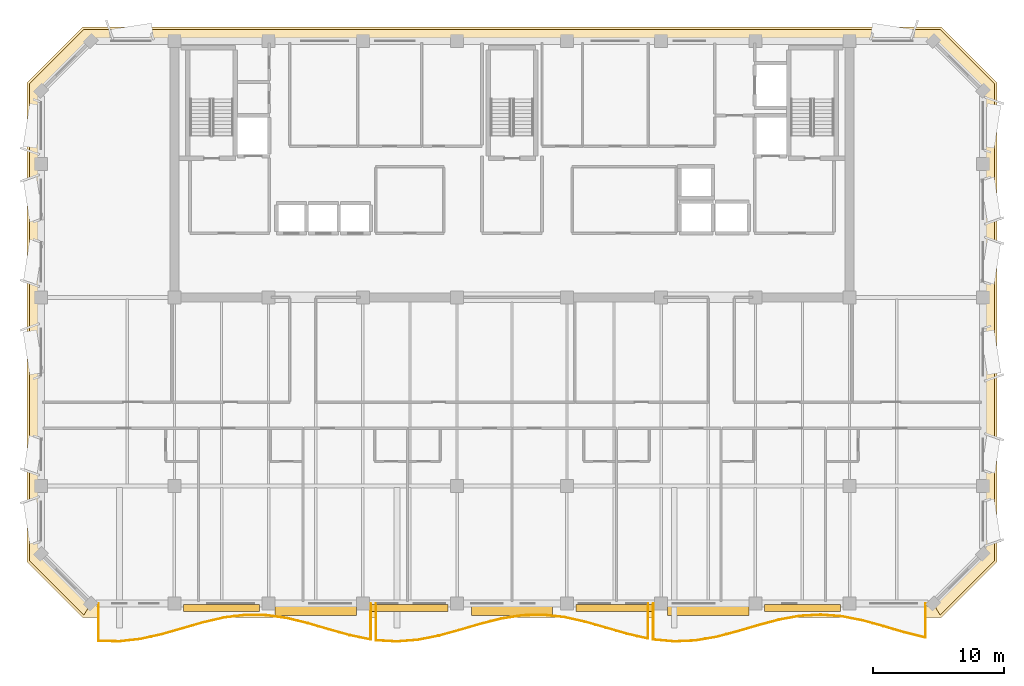
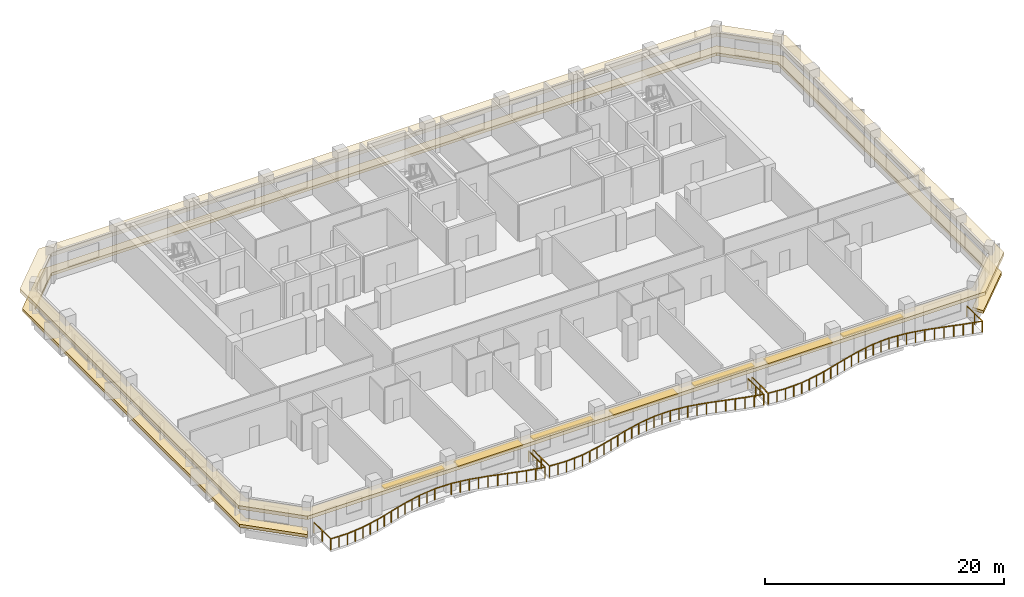
# One storey, part 9 of 11: 7 shading devices, 3 railings, 2 coverings.
"""IFC4 building model written with IfcOpenShell, lengths in metres."""

from ifc_helpers import new_model, si_unit, direction, frame, origin, origin_2d, place, context, subcontext, project, spatial, polyline, rectangle, outline, extrude, material, layer, layer_set, type_object, element, save


model = new_model("IFC4")

# Units and contexts
model_context = context("Model", 3, precision=1e-05, world=origin(), true_north=direction((0.0, 1.0)))
body_context = subcontext(model_context, "Body", "Model", "MODEL_VIEW")
ifc_project = project(units=[si_unit("LENGTHUNIT", "METRE"), si_unit("AREAUNIT", "SQUARE_METRE"), si_unit("VOLUMEUNIT", "CUBIC_METRE"), si_unit("PLANEANGLEUNIT", "RADIAN"), si_unit("MASSUNIT", "GRAM", prefix="KILO")], contexts=[model_context])

# Site, building, storey
site_placement = place(None, origin())
site = spatial("IfcSite", under=ifc_project, at=site_placement, CompositionType="ELEMENT")
building_placement = place(site_placement, origin())
building = spatial("IfcBuilding", under=site, at=building_placement, Name="Kaelvorn Grand Hotel", CompositionType="ELEMENT")
storey_placement = place(building_placement, frame((0.0, 0.0, 248.89990234375)))
storey = spatial("IfcBuildingStorey", under=building, at=storey_placement, Name="L61", CompositionType="ELEMENT", Elevation=248.89990234375)

# Coverings
ifc_material_1 = material(Name="Precast concrete C45/55", Category="concrete")
ifc_layer_1 = layer(ifc_material_1, 0.260009765625)
ifc_layer_set_1 = layer_set([ifc_layer_1], Name="Precast concrete C45/55")
covering_type_1 = type_object("IfcCoveringType", Name="COV-BAND-STREAMLINE-HEAD", PredefinedType="CLADDING", material=ifc_layer_set_1)
covering_1_placement = place(storey_placement, frame((0.0, 0.0, 2.420166015625)))
element("IfcCovering", 1, at=covering_1_placement, inside=storey, type_object=covering_type_1, Name="L61 Streamline Moderne Wraparound Horizontal Eyebrow Band", PredefinedType="CLADDING", context=body_context, shape_type="SweptSolid", body=[
    extrude(outline(polyline([(9.18994140625, 4.949951171875), (74.81005859375, 4.949951171875), (79.050048828125, 9.18994140625), (79.050048828125, 45.81005859375), (74.81005859375, 50.050048828125), (9.18994140625, 50.050048828125), (4.949951171875, 45.81005859375), (4.949951171875, 9.18994140625), (9.18994140625, 4.949951171875)]), holes=[polyline([(9.820068359375, 6.030029296875), (74.179931640625, 6.030029296875), (77.969970703125, 9.820068359375), (77.969970703125, 45.179931640625), (74.179931640625, 48.969970703125), (9.820068359375, 48.969970703125), (6.030029296875, 45.179931640625), (6.030029296875, 9.820068359375), (9.820068359375, 6.030029296875)])]), origin(), (0.0, 0.0, 1.0), 0.35986328125),
])
ifc_layer_2 = layer(ifc_material_1, 0.219970703125)
ifc_layer_set_2 = layer_set([ifc_layer_2], Name="Precast concrete C45/55")
covering_type_2 = type_object("IfcCoveringType", Name="COV-BAND-STREAMLINE-SILL", PredefinedType="CLADDING", material=ifc_layer_set_2)
covering_2_placement = place(storey_placement, frame((0.0, 0.0, 0.4501953125)))
element("IfcCovering", 2, at=covering_2_placement, inside=storey, type_object=covering_type_2, Name="L61 Streamline Moderne Wraparound Horizontal Sill Spandrel Band", PredefinedType="CLADDING", context=body_context, shape_type="SweptSolid", body=[
    extrude(outline(polyline([(74.715576171875, 5.1201171875), (78.8798828125, 9.284423828125), (78.8798828125, 45.715576171875), (74.715576171875, 49.8798828125), (9.284423828125, 49.8798828125), (5.1201171875, 45.715576171875), (5.1201171875, 9.284423828125), (9.284423828125, 5.1201171875), (9.817626953125, 6.030029296875), (6.030029296875, 9.817626953125), (6.030029296875, 45.182373046875), (9.817626953125, 48.969970703125), (74.182373046875, 48.969970703125), (77.969970703125, 45.182373046875), (77.969970703125, 9.817626953125), (74.182373046875, 6.030029296875), (74.715576171875, 5.1201171875)])), origin(), (0.0, 0.0, 1.0), 0.2998046875),
])

# Railings
ifc_material_2 = material(Name="Stainless Steel", Category="steel")
railing_type = type_object("IfcRailingType", Name="RL-BALC-1150", PredefinedType="BALUSTRADE", material=ifc_material_2)
railing_1_placement = place(storey_placement, frame((10.39990234375, 6.0, 0.0)))
element("IfcRailing", 3, at=railing_1_placement, inside=storey, type_object=railing_type, Name="L61 Scalloped Wave Balcony Balustrade GR1-1", PredefinedType="BALUSTRADE", context=body_context, shape_type="SweptSolid", body=[
    extrude(rectangle(XDim=0.048095703125, YDim=0.048095703125, at=origin_2d()), frame((0.0, 0.0, 1.1259765625), z_axis=(0.0, -1.0, 0.0), x_axis=(1.0, 0.0, 0.0)), (0.0, 0.0, 1.0), 2.849853515625),
    extrude(rectangle(XDim=0.048095703125, YDim=0.048095703125, at=origin_2d()), frame((0.0, -2.849853515625, 1.1259765625), z_axis=(0.999713206321, -0.023947966645, 0.0), x_axis=(0.023947966645, 0.999713206321, 0.0)), (0.0, 0.0, 1.0), 1.6005859375),
    extrude(rectangle(XDim=0.048095703125, YDim=0.048095703125, at=origin_2d()), frame((1.60009765625, -2.88818359375, 1.1259765625), z_axis=(0.993937251022, 0.109948810954, 0.0), x_axis=(-0.109948810954, 0.993937251022, 0.0)), (0.0, 0.0, 1.0), 1.60986328125),
    extrude(rectangle(XDim=0.048095703125, YDim=0.048095703125, at=origin_2d()), frame((3.2001953125, -2.711181640625, 1.1259765625), z_axis=(0.976257116807, 0.216614962282, 0.0), x_axis=(-0.216614962282, 0.976257116807, 0.0)), (0.0, 0.0, 1.0), 1.638671875),
    extrude(rectangle(XDim=0.048095703125, YDim=0.048095703125, at=origin_2d()), frame((4.800048828125, -2.356201171875, 1.1259765625), z_axis=(0.961507337723, 0.274779255959, 0.0), x_axis=(-0.274779255959, 0.961507337723, 0.0)), (0.0, 0.0, 1.0), 1.6640625),
    extrude(rectangle(XDim=0.048095703125, YDim=0.048095703125, at=origin_2d()), frame((6.400146484375, -1.89892578125, 1.1259765625), z_axis=(0.960678560295, 0.27766293197, 0.0), x_axis=(-0.27766293197, 0.960678560295, 0.0)), (0.0, 0.0, 1.0), 1.665283203125),
    extrude(rectangle(XDim=0.048095703125, YDim=0.048095703125, at=origin_2d()), frame((8.0, -1.4365234375, 1.1259765625), z_axis=(0.974406227917, 0.224794357127, 0.0), x_axis=(-0.224794357127, 0.974406227917, 0.0)), (0.0, 0.0, 1.0), 1.64208984375),
    extrude(rectangle(XDim=0.048095703125, YDim=0.048095703125, at=origin_2d()), frame((9.60009765625, -1.0673828125, 1.1259765625), z_axis=(0.992467733724, 0.122506316232, 0.0), x_axis=(-0.122506316232, 0.992467733724, 0.0)), (0.0, 0.0, 1.0), 1.6123046875),
    extrude(rectangle(XDim=0.048095703125, YDim=0.048095703125, at=origin_2d()), frame((11.2001953125, -0.869873046875, 1.1259765625), z_axis=(0.999946164045, -0.010376367947, 0.0), x_axis=(0.010376367947, 0.999946164045, 0.0)), (0.0, 0.0, 1.0), 1.599853515625),
    extrude(rectangle(XDim=0.048095703125, YDim=0.048095703125, at=origin_2d()), frame((12.800048828125, -0.886474609375, 1.1259765625), z_axis=(0.990102995912, -0.14034264315, 0.0), x_axis=(0.14034264315, 0.990102995912, 0.0)), (0.0, 0.0, 1.0), 1.6162109375),
    extrude(rectangle(XDim=0.048095703125, YDim=0.048095703125, at=origin_2d()), frame((14.400146484375, -1.11328125, 1.1259765625), z_axis=(0.971700727271, -0.236215360681, 0.0), x_axis=(0.236215360681, 0.971700727271, 0.0)), (0.0, 0.0, 1.0), 1.646484375),
    extrude(rectangle(XDim=0.048095703125, YDim=0.048095703125, at=origin_2d()), frame((16.0, -1.502197265625, 1.1259765625), z_axis=(0.959786500851, -0.28073096157, 0.0), x_axis=(0.28073096157, 0.959786500851, 0.0)), (0.0, 0.0, 1.0), 1.667236328125),
    extrude(rectangle(XDim=0.048095703125, YDim=0.048095703125, at=origin_2d()), frame((17.60009765625, -1.97021484375, 1.1259765625), z_axis=(0.962968597463, -0.269613575884, 0.0), x_axis=(0.269613575884, 0.962968597463, 0.0)), (0.0, 0.0, 1.0), 1.66162109375),
    extrude(rectangle(XDim=0.048095703125, YDim=0.048095703125, at=origin_2d()), frame((19.2001953125, -2.418212890625, 1.1259765625), z_axis=(0.979105781264, -0.203351589852, 0.0), x_axis=(0.203351589852, 0.979105781264, 0.0)), (0.0, 0.0, 1.0), 1.634033203125),
    extrude(rectangle(XDim=0.048095703125, YDim=0.048095703125, at=origin_2d()), frame((20.800048828125, -2.75048828125, 1.1259765625), z_axis=(0.0, 1.0, 0.0), x_axis=(-1.0, 0.0, 0.0)), (0.0, 0.0, 1.0), 2.75048828125),
    extrude(rectangle(XDim=0.0419921875, YDim=0.0419921875, at=origin_2d()), origin(), (0.0, 0.0, 1.0), 1.101806640625),
    extrude(rectangle(XDim=0.0419921875, YDim=0.0419921875, at=origin_2d()), frame((0.0, -1.4248046875, 0.0)), (0.0, 0.0, 1.0), 1.101806640625),
    extrude(rectangle(XDim=0.0419921875, YDim=0.0419921875, at=origin_2d()), frame((0.0, -2.849853515625, 0.0)), (0.0, 0.0, 1.0), 1.101806640625),
    extrude(rectangle(XDim=0.0419921875, YDim=0.0419921875, at=origin_2d()), frame((0.800048828125, -2.869140625, 0.0)), (0.0, 0.0, 1.0), 1.101806640625),
    extrude(rectangle(XDim=0.0419921875, YDim=0.0419921875, at=origin_2d()), frame((1.60009765625, -2.88818359375, 0.0)), (0.0, 0.0, 1.0), 1.101806640625),
    extrude(rectangle(XDim=0.0419921875, YDim=0.0419921875, at=origin_2d()), frame((2.400146484375, -2.7998046875, 0.0)), (0.0, 0.0, 1.0), 1.101806640625),
    extrude(rectangle(XDim=0.0419921875, YDim=0.0419921875, at=origin_2d()), frame((3.2001953125, -2.711181640625, 0.0)), (0.0, 0.0, 1.0), 1.101806640625),
    extrude(rectangle(XDim=0.0419921875, YDim=0.0419921875, at=origin_2d()), frame((4.0, -2.53369140625, 0.0)), (0.0, 0.0, 1.0), 1.101806640625),
    extrude(rectangle(XDim=0.0419921875, YDim=0.0419921875, at=origin_2d()), frame((4.800048828125, -2.356201171875, 0.0)), (0.0, 0.0, 1.0), 1.101806640625),
    extrude(rectangle(XDim=0.0419921875, YDim=0.0419921875, at=origin_2d()), frame((5.60009765625, -2.12744140625, 0.0)), (0.0, 0.0, 1.0), 1.101806640625),
    extrude(rectangle(XDim=0.0419921875, YDim=0.0419921875, at=origin_2d()), frame((6.400146484375, -1.89892578125, 0.0)), (0.0, 0.0, 1.0), 1.101806640625),
    extrude(rectangle(XDim=0.0419921875, YDim=0.0419921875, at=origin_2d()), frame((7.2001953125, -1.667724609375, 0.0)), (0.0, 0.0, 1.0), 1.101806640625),
    extrude(rectangle(XDim=0.0419921875, YDim=0.0419921875, at=origin_2d()), frame((8.0, -1.4365234375, 0.0)), (0.0, 0.0, 1.0), 1.101806640625),
    extrude(rectangle(XDim=0.0419921875, YDim=0.0419921875, at=origin_2d()), frame((8.800048828125, -1.251953125, 0.0)), (0.0, 0.0, 1.0), 1.101806640625),
    extrude(rectangle(XDim=0.0419921875, YDim=0.0419921875, at=origin_2d()), frame((9.60009765625, -1.0673828125, 0.0)), (0.0, 0.0, 1.0), 1.101806640625),
    extrude(rectangle(XDim=0.0419921875, YDim=0.0419921875, at=origin_2d()), frame((10.400146484375, -0.96875, 0.0)), (0.0, 0.0, 1.0), 1.101806640625),
    extrude(rectangle(XDim=0.0419921875, YDim=0.0419921875, at=origin_2d()), frame((11.2001953125, -0.869873046875, 0.0)), (0.0, 0.0, 1.0), 1.101806640625),
    extrude(rectangle(XDim=0.0419921875, YDim=0.0419921875, at=origin_2d()), frame((12.800048828125, -0.886474609375, 0.0)), (0.0, 0.0, 1.0), 1.101806640625),
    extrude(rectangle(XDim=0.0419921875, YDim=0.0419921875, at=origin_2d()), frame((13.60009765625, -1.0, 0.0)), (0.0, 0.0, 1.0), 1.101806640625),
    extrude(rectangle(XDim=0.0419921875, YDim=0.0419921875, at=origin_2d()), frame((14.400146484375, -1.11328125, 0.0)), (0.0, 0.0, 1.0), 1.101806640625),
    extrude(rectangle(XDim=0.0419921875, YDim=0.0419921875, at=origin_2d()), frame((15.2001953125, -1.3076171875, 0.0)), (0.0, 0.0, 1.0), 1.101806640625),
    extrude(rectangle(XDim=0.0419921875, YDim=0.0419921875, at=origin_2d()), frame((16.0, -1.502197265625, 0.0)), (0.0, 0.0, 1.0), 1.101806640625),
    extrude(rectangle(XDim=0.0419921875, YDim=0.0419921875, at=origin_2d()), frame((16.800048828125, -1.736328125, 0.0)), (0.0, 0.0, 1.0), 1.101806640625),
    extrude(rectangle(XDim=0.0419921875, YDim=0.0419921875, at=origin_2d()), frame((17.60009765625, -1.97021484375, 0.0)), (0.0, 0.0, 1.0), 1.101806640625),
    extrude(rectangle(XDim=0.0419921875, YDim=0.0419921875, at=origin_2d()), frame((18.400146484375, -2.1943359375, 0.0)), (0.0, 0.0, 1.0), 1.101806640625),
    extrude(rectangle(XDim=0.0419921875, YDim=0.0419921875, at=origin_2d()), frame((19.2001953125, -2.418212890625, 0.0)), (0.0, 0.0, 1.0), 1.101806640625),
    extrude(rectangle(XDim=0.0419921875, YDim=0.0419921875, at=origin_2d()), frame((20.0, -2.58447265625, 0.0)), (0.0, 0.0, 1.0), 1.101806640625),
    extrude(rectangle(XDim=0.0419921875, YDim=0.0419921875, at=origin_2d()), frame((20.800048828125, -2.75048828125, 0.0)), (0.0, 0.0, 1.0), 1.101806640625),
    extrude(rectangle(XDim=0.0419921875, YDim=0.0419921875, at=origin_2d()), frame((20.800048828125, -1.375244140625, 0.0)), (0.0, 0.0, 1.0), 1.101806640625),
    extrude(rectangle(XDim=0.0419921875, YDim=0.0419921875, at=origin_2d()), frame((20.800048828125, 0.0, 0.0)), (0.0, 0.0, 1.0), 1.101806640625),
])
railing_2_placement = place(storey_placement, frame((31.60009765625, 6.0, 0.0)))
element("IfcRailing", 4, at=railing_2_placement, inside=storey, type_object=railing_type, Name="L61 Scalloped Wave Balcony Balustrade GR1-2", PredefinedType="BALUSTRADE", context=body_context, shape_type="SweptSolid", body=[
    extrude(rectangle(XDim=0.048095703125, YDim=0.048095703125, at=origin_2d()), frame((0.0, 0.0, 1.1259765625), z_axis=(0.0, -1.0, 0.0), x_axis=(1.0, 0.0, 0.0)), (0.0, 0.0, 1.0), 2.806396484375),
    extrude(rectangle(XDim=0.048095703125, YDim=0.048095703125, at=origin_2d()), frame((0.0, -2.806396484375, 1.1259765625), z_axis=(0.998314067233, -0.058043286985, 0.0), x_axis=(0.058043286985, 0.998314067233, 0.0)), (0.0, 0.0, 1.0), 1.6025390625),
    extrude(rectangle(XDim=0.048095703125, YDim=0.048095703125, at=origin_2d()), frame((1.599853515625, -2.8994140625, 1.1259765625), z_axis=(0.99696251046, 0.077882942532, 0.0), x_axis=(-0.077882942532, 0.99696251046, 0.0)), (0.0, 0.0, 1.0), 1.60498046875),
    extrude(rectangle(XDim=0.048095703125, YDim=0.048095703125, at=origin_2d()), frame((3.199951171875, -2.7744140625, 1.1259765625), z_axis=(0.980998741428, 0.194014095665, 0.0), x_axis=(-0.194014095665, 0.980998741428, 0.0)), (0.0, 0.0, 1.0), 1.630859375),
    extrude(rectangle(XDim=0.048095703125, YDim=0.048095703125, at=origin_2d()), frame((4.7998046875, -2.4580078125, 1.1259765625), z_axis=(0.964143309379, 0.265382137644, 0.0), x_axis=(-0.265382137644, 0.964143309379, 0.0)), (0.0, 0.0, 1.0), 1.65966796875),
    extrude(rectangle(XDim=0.048095703125, YDim=0.048095703125, at=origin_2d()), frame((6.39990234375, -2.017578125, 1.1259765625), z_axis=(0.959351515378, 0.282213872696, 0.0), x_axis=(-0.282213872696, 0.959351515378, 0.0)), (0.0, 0.0, 1.0), 1.66796875),
    extrude(rectangle(XDim=0.048095703125, YDim=0.048095703125, at=origin_2d()), frame((8.0, -1.546875, 1.1259765625), z_axis=(0.970011748649, 0.243058033158, 0.0), x_axis=(-0.243058033158, 0.970011748649, 0.0)), (0.0, 0.0, 1.0), 1.6494140625),
    extrude(rectangle(XDim=0.048095703125, YDim=0.048095703125, at=origin_2d()), frame((9.599853515625, -1.14599609375, 1.1259765625), z_axis=(0.988401317612, 0.151864529575, 0.0), x_axis=(-0.151864529575, 0.988401317612, 0.0)), (0.0, 0.0, 1.0), 1.618896484375),
    extrude(rectangle(XDim=0.048095703125, YDim=0.048095703125, at=origin_2d()), frame((11.199951171875, -0.900146484375, 1.1259765625), z_axis=(0.999713118822, 0.023951619053, 0.0), x_axis=(-0.023951619053, 0.999713118822, 0.0)), (0.0, 0.0, 1.0), 1.600341796875),
    extrude(rectangle(XDim=0.048095703125, YDim=0.048095703125, at=origin_2d()), frame((12.7998046875, -0.86181640625, 1.1259765625), z_axis=(0.993937251022, -0.109948810954, 0.0), x_axis=(0.109948810954, 0.993937251022, 0.0)), (0.0, 0.0, 1.0), 1.60986328125),
    extrude(rectangle(XDim=0.048095703125, YDim=0.048095703125, at=origin_2d()), frame((14.39990234375, -1.038818359375, 1.1259765625), z_axis=(0.976264105664, -0.216583461952, 0.0), x_axis=(0.216583461952, 0.976264105664, 0.0)), (0.0, 0.0, 1.0), 1.638916015625),
    extrude(rectangle(XDim=0.048095703125, YDim=0.048095703125, at=origin_2d()), frame((16.0, -1.393798828125, 1.1259765625), z_axis=(0.961496258585, -0.274818021109, 0.0), x_axis=(0.274818021109, 0.961496258585, 0.0)), (0.0, 0.0, 1.0), 1.663818359375),
    extrude(rectangle(XDim=0.048095703125, YDim=0.048095703125, at=origin_2d()), frame((17.599853515625, -1.85107421875, 1.1259765625), z_axis=(0.960689860387, -0.277623832098, 0.0), x_axis=(0.277623832098, 0.960689860387, 0.0)), (0.0, 0.0, 1.0), 1.66552734375),
    extrude(rectangle(XDim=0.048095703125, YDim=0.048095703125, at=origin_2d()), frame((19.199951171875, -2.3134765625, 1.1259765625), z_axis=(0.974398713439, -0.224826927319, 0.0), x_axis=(0.224826927319, 0.974398713439, 0.0)), (0.0, 0.0, 1.0), 1.641845703125),
    extrude(rectangle(XDim=0.048095703125, YDim=0.048095703125, at=origin_2d()), frame((20.7998046875, -2.6826171875, 1.1259765625), z_axis=(0.0, 1.0, 0.0), x_axis=(-1.0, 0.0, 0.0)), (0.0, 0.0, 1.0), 2.6826171875),
    extrude(rectangle(XDim=0.0419921875, YDim=0.0419921875, at=origin_2d()), origin(), (0.0, 0.0, 1.0), 1.101806640625),
    extrude(rectangle(XDim=0.0419921875, YDim=0.0419921875, at=origin_2d()), frame((0.0, -1.4033203125, 0.0)), (0.0, 0.0, 1.0), 1.101806640625),
    extrude(rectangle(XDim=0.0419921875, YDim=0.0419921875, at=origin_2d()), frame((0.0, -2.806396484375, 0.0)), (0.0, 0.0, 1.0), 1.101806640625),
    extrude(rectangle(XDim=0.0419921875, YDim=0.0419921875, at=origin_2d()), frame((0.7998046875, -2.85302734375, 0.0)), (0.0, 0.0, 1.0), 1.101806640625),
    extrude(rectangle(XDim=0.0419921875, YDim=0.0419921875, at=origin_2d()), frame((1.599853515625, -2.8994140625, 0.0)), (0.0, 0.0, 1.0), 1.101806640625),
    extrude(rectangle(XDim=0.0419921875, YDim=0.0419921875, at=origin_2d()), frame((2.39990234375, -2.8369140625, 0.0)), (0.0, 0.0, 1.0), 1.101806640625),
    extrude(rectangle(XDim=0.0419921875, YDim=0.0419921875, at=origin_2d()), frame((3.199951171875, -2.7744140625, 0.0)), (0.0, 0.0, 1.0), 1.101806640625),
    extrude(rectangle(XDim=0.0419921875, YDim=0.0419921875, at=origin_2d()), frame((4.0, -2.6162109375, 0.0)), (0.0, 0.0, 1.0), 1.101806640625),
    extrude(rectangle(XDim=0.0419921875, YDim=0.0419921875, at=origin_2d()), frame((4.7998046875, -2.4580078125, 0.0)), (0.0, 0.0, 1.0), 1.101806640625),
    extrude(rectangle(XDim=0.0419921875, YDim=0.0419921875, at=origin_2d()), frame((5.599853515625, -2.23779296875, 0.0)), (0.0, 0.0, 1.0), 1.101806640625),
    extrude(rectangle(XDim=0.0419921875, YDim=0.0419921875, at=origin_2d()), frame((6.39990234375, -2.017578125, 0.0)), (0.0, 0.0, 1.0), 1.101806640625),
    extrude(rectangle(XDim=0.0419921875, YDim=0.0419921875, at=origin_2d()), frame((7.199951171875, -1.7822265625, 0.0)), (0.0, 0.0, 1.0), 1.101806640625),
    extrude(rectangle(XDim=0.0419921875, YDim=0.0419921875, at=origin_2d()), frame((8.0, -1.546875, 0.0)), (0.0, 0.0, 1.0), 1.101806640625),
    extrude(rectangle(XDim=0.0419921875, YDim=0.0419921875, at=origin_2d()), frame((8.7998046875, -1.346435546875, 0.0)), (0.0, 0.0, 1.0), 1.101806640625),
    extrude(rectangle(XDim=0.0419921875, YDim=0.0419921875, at=origin_2d()), frame((9.599853515625, -1.14599609375, 0.0)), (0.0, 0.0, 1.0), 1.101806640625),
    extrude(rectangle(XDim=0.0419921875, YDim=0.0419921875, at=origin_2d()), frame((10.39990234375, -1.02294921875, 0.0)), (0.0, 0.0, 1.0), 1.101806640625),
    extrude(rectangle(XDim=0.0419921875, YDim=0.0419921875, at=origin_2d()), frame((11.199951171875, -0.900146484375, 0.0)), (0.0, 0.0, 1.0), 1.101806640625),
    extrude(rectangle(XDim=0.0419921875, YDim=0.0419921875, at=origin_2d()), frame((12.0, -0.880859375, 0.0)), (0.0, 0.0, 1.0), 1.101806640625),
    extrude(rectangle(XDim=0.0419921875, YDim=0.0419921875, at=origin_2d()), frame((12.7998046875, -0.86181640625, 0.0)), (0.0, 0.0, 1.0), 1.101806640625),
    extrude(rectangle(XDim=0.0419921875, YDim=0.0419921875, at=origin_2d()), frame((13.599853515625, -0.9501953125, 0.0)), (0.0, 0.0, 1.0), 1.101806640625),
    extrude(rectangle(XDim=0.0419921875, YDim=0.0419921875, at=origin_2d()), frame((14.39990234375, -1.038818359375, 0.0)), (0.0, 0.0, 1.0), 1.101806640625),
    extrude(rectangle(XDim=0.0419921875, YDim=0.0419921875, at=origin_2d()), frame((15.199951171875, -1.21630859375, 0.0)), (0.0, 0.0, 1.0), 1.101806640625),
    extrude(rectangle(XDim=0.0419921875, YDim=0.0419921875, at=origin_2d()), frame((16.0, -1.393798828125, 0.0)), (0.0, 0.0, 1.0), 1.101806640625),
    extrude(rectangle(XDim=0.0419921875, YDim=0.0419921875, at=origin_2d()), frame((16.7998046875, -1.62255859375, 0.0)), (0.0, 0.0, 1.0), 1.101806640625),
    extrude(rectangle(XDim=0.0419921875, YDim=0.0419921875, at=origin_2d()), frame((17.599853515625, -1.85107421875, 0.0)), (0.0, 0.0, 1.0), 1.101806640625),
    extrude(rectangle(XDim=0.0419921875, YDim=0.0419921875, at=origin_2d()), frame((18.39990234375, -2.082275390625, 0.0)), (0.0, 0.0, 1.0), 1.101806640625),
    extrude(rectangle(XDim=0.0419921875, YDim=0.0419921875, at=origin_2d()), frame((19.199951171875, -2.3134765625, 0.0)), (0.0, 0.0, 1.0), 1.101806640625),
    extrude(rectangle(XDim=0.0419921875, YDim=0.0419921875, at=origin_2d()), frame((20.0, -2.498046875, 0.0)), (0.0, 0.0, 1.0), 1.101806640625),
    extrude(rectangle(XDim=0.0419921875, YDim=0.0419921875, at=origin_2d()), frame((20.7998046875, -2.6826171875, 0.0)), (0.0, 0.0, 1.0), 1.101806640625),
    extrude(rectangle(XDim=0.0419921875, YDim=0.0419921875, at=origin_2d()), frame((20.7998046875, -1.34130859375, 0.0)), (0.0, 0.0, 1.0), 1.101806640625),
    extrude(rectangle(XDim=0.0419921875, YDim=0.0419921875, at=origin_2d()), frame((20.7998046875, 0.0, 0.0)), (0.0, 0.0, 1.0), 1.101806640625),
])
railing_3_placement = place(storey_placement, frame((52.800048828125, 6.0, 0.0)))
element("IfcRailing", 5, at=railing_3_placement, inside=storey, type_object=railing_type, Name="L61 Scalloped Wave Balcony Balustrade GR1-3", PredefinedType="BALUSTRADE", context=body_context, shape_type="SweptSolid", body=[
    extrude(rectangle(XDim=0.048095703125, YDim=0.048095703125, at=origin_2d()), frame((0.0, 0.0, 1.1259765625), z_axis=(0.0, -1.0, 0.0), x_axis=(1.0, 0.0, 0.0)), (0.0, 0.0, 1.0), 2.75048828125),
    extrude(rectangle(XDim=0.048095703125, YDim=0.048095703125, at=origin_2d()), frame((0.0, -2.75048828125, 1.1259765625), z_axis=(0.995862006079, -0.090878296908, 0.0), x_axis=(0.090878296908, 0.995862006079, 0.0)), (0.0, 0.0, 1.0), 1.6064453125),
    extrude(rectangle(XDim=0.048095703125, YDim=0.048095703125, at=origin_2d()), frame((1.599853515625, -2.896484375, 1.1259765625), z_axis=(0.999015758747, 0.044356665517, 0.0), x_axis=(-0.044356665517, 0.999015758747, 0.0)), (0.0, 0.0, 1.0), 1.6015625),
    extrude(rectangle(XDim=0.048095703125, YDim=0.048095703125, at=origin_2d()), frame((3.199951171875, -2.825439453125, 1.1259765625), z_axis=(0.985710855115, 0.168446163828, 0.0), x_axis=(-0.168446163828, 0.985710855115, 0.0)), (0.0, 0.0, 1.0), 1.623291015625),
    extrude(rectangle(XDim=0.048095703125, YDim=0.048095703125, at=origin_2d()), frame((4.800048828125, -2.552001953125, 1.1259765625), z_axis=(0.9675984532, 0.252494026396, 0.0), x_axis=(-0.252494026396, 0.9675984532, 0.0)), (0.0, 0.0, 1.0), 1.6533203125),
    extrude(rectangle(XDim=0.048095703125, YDim=0.048095703125, at=origin_2d()), frame((6.39990234375, -2.134521484375, 1.1259765625), z_axis=(0.959033972874, 0.28329108506, 0.0), x_axis=(-0.28329108506, 0.959033972874, 0.0)), (0.0, 0.0, 1.0), 1.66845703125),
    extrude(rectangle(XDim=0.048095703125, YDim=0.048095703125, at=origin_2d()), frame((8.0, -1.661865234375, 1.1259765625), z_axis=(0.966141888597, 0.258011339088, 0.0), x_axis=(-0.258011339088, 0.966141888597, 0.0)), (0.0, 0.0, 1.0), 1.656005859375),
    extrude(rectangle(XDim=0.048095703125, YDim=0.048095703125, at=origin_2d()), frame((9.599853515625, -1.234619140625, 1.1259765625), z_axis=(0.983860301257, 0.178938278776, 0.0), x_axis=(-0.178938278776, 0.983860301257, 0.0)), (0.0, 0.0, 1.0), 1.62646484375),
    extrude(rectangle(XDim=0.048095703125, YDim=0.048095703125, at=origin_2d()), frame((11.199951171875, -0.943603515625, 1.1259765625), z_axis=(0.998314580369, 0.058034460653, 0.0), x_axis=(-0.058034460653, 0.998314580369, 0.0)), (0.0, 0.0, 1.0), 1.602783203125),
    extrude(rectangle(XDim=0.048095703125, YDim=0.048095703125, at=origin_2d()), frame((12.800048828125, -0.8505859375, 1.1259765625), z_axis=(0.996961587557, -0.077894755506, 0.0), x_axis=(0.077894755506, 0.996961587557, 0.0)), (0.0, 0.0, 1.0), 1.604736328125),
    extrude(rectangle(XDim=0.048095703125, YDim=0.048095703125, at=origin_2d()), frame((14.39990234375, -0.9755859375, 1.1259765625), z_axis=(0.981004375199, -0.193985607302, 0.0), x_axis=(0.193985607302, 0.981004375199, 0.0)), (0.0, 0.0, 1.0), 1.631103515625),
    extrude(rectangle(XDim=0.048095703125, YDim=0.048095703125, at=origin_2d()), frame((16.0, -1.2919921875, 1.1259765625), z_axis=(0.964132946726, -0.265419782679, 0.0), x_axis=(0.265419782679, 0.964132946726, 0.0)), (0.0, 0.0, 1.0), 1.659423828125),
    extrude(rectangle(XDim=0.048095703125, YDim=0.048095703125, at=origin_2d()), frame((17.599853515625, -1.732421875, 1.1259765625), z_axis=(0.959351515378, -0.282213872696, 0.0), x_axis=(0.282213872696, 0.959351515378, 0.0)), (0.0, 0.0, 1.0), 1.66796875),
    extrude(rectangle(XDim=0.048095703125, YDim=0.048095703125, at=origin_2d()), frame((19.199951171875, -2.203125, 1.1259765625), z_axis=(0.970020491705, -0.243023138142, 0.0), x_axis=(0.243023138142, 0.970020491705, 0.0)), (0.0, 0.0, 1.0), 1.649658203125),
    extrude(rectangle(XDim=0.048095703125, YDim=0.048095703125, at=origin_2d()), frame((20.800048828125, -2.60400390625, 1.1259765625), z_axis=(0.0, 1.0, 0.0), x_axis=(-1.0, 0.0, 0.0)), (0.0, 0.0, 1.0), 2.60400390625),
    extrude(rectangle(XDim=0.0419921875, YDim=0.0419921875, at=origin_2d()), origin(), (0.0, 0.0, 1.0), 1.101806640625),
    extrude(rectangle(XDim=0.0419921875, YDim=0.0419921875, at=origin_2d()), frame((0.0, -1.375244140625, 0.0)), (0.0, 0.0, 1.0), 1.101806640625),
    extrude(rectangle(XDim=0.0419921875, YDim=0.0419921875, at=origin_2d()), frame((0.0, -2.75048828125, 0.0)), (0.0, 0.0, 1.0), 1.101806640625),
    extrude(rectangle(XDim=0.0419921875, YDim=0.0419921875, at=origin_2d()), frame((0.7998046875, -2.823486328125, 0.0)), (0.0, 0.0, 1.0), 1.101806640625),
    extrude(rectangle(XDim=0.0419921875, YDim=0.0419921875, at=origin_2d()), frame((1.599853515625, -2.896484375, 0.0)), (0.0, 0.0, 1.0), 1.101806640625),
    extrude(rectangle(XDim=0.0419921875, YDim=0.0419921875, at=origin_2d()), frame((2.39990234375, -2.86083984375, 0.0)), (0.0, 0.0, 1.0), 1.101806640625),
    extrude(rectangle(XDim=0.0419921875, YDim=0.0419921875, at=origin_2d()), frame((3.199951171875, -2.825439453125, 0.0)), (0.0, 0.0, 1.0), 1.101806640625),
    extrude(rectangle(XDim=0.0419921875, YDim=0.0419921875, at=origin_2d()), frame((4.0, -2.688720703125, 0.0)), (0.0, 0.0, 1.0), 1.101806640625),
    extrude(rectangle(XDim=0.0419921875, YDim=0.0419921875, at=origin_2d()), frame((4.800048828125, -2.552001953125, 0.0)), (0.0, 0.0, 1.0), 1.101806640625),
    extrude(rectangle(XDim=0.0419921875, YDim=0.0419921875, at=origin_2d()), frame((5.60009765625, -2.34326171875, 0.0)), (0.0, 0.0, 1.0), 1.101806640625),
    extrude(rectangle(XDim=0.0419921875, YDim=0.0419921875, at=origin_2d()), frame((6.39990234375, -2.134521484375, 0.0)), (0.0, 0.0, 1.0), 1.101806640625),
    extrude(rectangle(XDim=0.0419921875, YDim=0.0419921875, at=origin_2d()), frame((7.199951171875, -1.898193359375, 0.0)), (0.0, 0.0, 1.0), 1.101806640625),
    extrude(rectangle(XDim=0.0419921875, YDim=0.0419921875, at=origin_2d()), frame((8.0, -1.661865234375, 0.0)), (0.0, 0.0, 1.0), 1.101806640625),
    extrude(rectangle(XDim=0.0419921875, YDim=0.0419921875, at=origin_2d()), frame((8.7998046875, -1.4482421875, 0.0)), (0.0, 0.0, 1.0), 1.101806640625),
    extrude(rectangle(XDim=0.0419921875, YDim=0.0419921875, at=origin_2d()), frame((9.599853515625, -1.234619140625, 0.0)), (0.0, 0.0, 1.0), 1.101806640625),
    extrude(rectangle(XDim=0.0419921875, YDim=0.0419921875, at=origin_2d()), frame((10.39990234375, -1.089111328125, 0.0)), (0.0, 0.0, 1.0), 1.101806640625),
    extrude(rectangle(XDim=0.0419921875, YDim=0.0419921875, at=origin_2d()), frame((11.199951171875, -0.943603515625, 0.0)), (0.0, 0.0, 1.0), 1.101806640625),
    extrude(rectangle(XDim=0.0419921875, YDim=0.0419921875, at=origin_2d()), frame((12.0, -0.89697265625, 0.0)), (0.0, 0.0, 1.0), 1.101806640625),
    extrude(rectangle(XDim=0.0419921875, YDim=0.0419921875, at=origin_2d()), frame((12.800048828125, -0.8505859375, 0.0)), (0.0, 0.0, 1.0), 1.101806640625),
    extrude(rectangle(XDim=0.0419921875, YDim=0.0419921875, at=origin_2d()), frame((13.60009765625, -0.9130859375, 0.0)), (0.0, 0.0, 1.0), 1.101806640625),
    extrude(rectangle(XDim=0.0419921875, YDim=0.0419921875, at=origin_2d()), frame((14.39990234375, -0.9755859375, 0.0)), (0.0, 0.0, 1.0), 1.101806640625),
    extrude(rectangle(XDim=0.0419921875, YDim=0.0419921875, at=origin_2d()), frame((15.199951171875, -1.1337890625, 0.0)), (0.0, 0.0, 1.0), 1.101806640625),
    extrude(rectangle(XDim=0.0419921875, YDim=0.0419921875, at=origin_2d()), frame((16.0, -1.2919921875, 0.0)), (0.0, 0.0, 1.0), 1.101806640625),
    extrude(rectangle(XDim=0.0419921875, YDim=0.0419921875, at=origin_2d()), frame((16.7998046875, -1.51220703125, 0.0)), (0.0, 0.0, 1.0), 1.101806640625),
    extrude(rectangle(XDim=0.0419921875, YDim=0.0419921875, at=origin_2d()), frame((17.599853515625, -1.732421875, 0.0)), (0.0, 0.0, 1.0), 1.101806640625),
    extrude(rectangle(XDim=0.0419921875, YDim=0.0419921875, at=origin_2d()), frame((18.39990234375, -1.9677734375, 0.0)), (0.0, 0.0, 1.0), 1.101806640625),
    extrude(rectangle(XDim=0.0419921875, YDim=0.0419921875, at=origin_2d()), frame((19.199951171875, -2.203125, 0.0)), (0.0, 0.0, 1.0), 1.101806640625),
    extrude(rectangle(XDim=0.0419921875, YDim=0.0419921875, at=origin_2d()), frame((20.0, -2.403564453125, 0.0)), (0.0, 0.0, 1.0), 1.101806640625),
    extrude(rectangle(XDim=0.0419921875, YDim=0.0419921875, at=origin_2d()), frame((20.800048828125, -2.60400390625, 0.0)), (0.0, 0.0, 1.0), 1.101806640625),
    extrude(rectangle(XDim=0.0419921875, YDim=0.0419921875, at=origin_2d()), frame((20.800048828125, -1.302001953125, 0.0)), (0.0, 0.0, 1.0), 1.101806640625),
    extrude(rectangle(XDim=0.0419921875, YDim=0.0419921875, at=origin_2d()), frame((20.800048828125, 0.0, 0.0)), (0.0, 0.0, 1.0), 1.101806640625),
])

# Shading devices
ifc_layer_3 = layer(ifc_material_1, 0.1201171875)
ifc_layer_set_3 = layer_set([ifc_layer_3], Name="Precast concrete C45/55")
shading_device_type_1 = type_object("IfcShadingDeviceType", Name="SHD-SUNSHADE-550", PredefinedType="USERDEFINED", material=ifc_layer_set_3)
for number, where, z_axis, x_axis, name in (
    (6, (19.800048828125, 5.655029296875, 2.56005859375), (0.0, 0.0, 1.0), (1.0, 0.0, 0.0), "L61 Horizontal Concrete Sunshade Band SS-03"),
    (7, (34.199951171875, 5.655029296875, 2.56005859375), (0.0, 0.0, 1.0), (1.0, 0.0, 0.0), "L61 Horizontal Concrete Sunshade Band SS-05"),
    (8, (49.800048828125, 5.655029296875, 2.56005859375), (0.0, 0.0, 1.0), (1.0, 0.0, 0.0), "L61 Horizontal Concrete Sunshade Band SS-07"),
    (9, (64.199951171875, 5.655029296875, 2.56005859375), (0.0, 0.0, 1.0), (1.0, 0.0, 0.0), "L61 Horizontal Concrete Sunshade Band SS-09"),
):
    element("IfcShadingDevice", number, at=place(storey_placement, frame(where, z_axis=z_axis, x_axis=x_axis)), inside=storey, type_object=shading_device_type_1, Name=name, ObjectType="SUNSHADE", PredefinedType="USERDEFINED", context=body_context, shape_type="SweptSolid", body=[
        extrude(rectangle(XDim=5.800048828125, YDim=0.550048828125, at=origin_2d()), origin(), (0.0, 0.0, 1.0), 0.1201171875),
    ])
ifc_layer_4 = layer(ifc_material_1, 0.139892578125)
ifc_layer_set_4 = layer_set([ifc_layer_4], Name="Precast concrete C45/55")
shading_device_type_2 = type_object("IfcShadingDeviceType", Name="SHD-SUNSHADE-850", PredefinedType="USERDEFINED", material=ifc_layer_set_4)
for number, where, z_axis, x_axis, name in (
    (10, (27.0, 5.5048828125, 2.55029296875), (0.0, 0.0, 1.0), (1.0, 0.0, 0.0), "L61 Horizontal Concrete Sunshade Band SS-04"),
    (11, (42.0, 5.5048828125, 2.55029296875), (0.0, 0.0, 1.0), (1.0, 0.0, 0.0), "L61 Horizontal Concrete Sunshade Band SS-06"),
    (12, (57.0, 5.5048828125, 2.55029296875), (0.0, 0.0, 1.0), (1.0, 0.0, 0.0), "L61 Horizontal Concrete Sunshade Band SS-08"),
):
    element("IfcShadingDevice", number, at=place(storey_placement, frame(where, z_axis=z_axis, x_axis=x_axis)), inside=storey, type_object=shading_device_type_2, Name=name, ObjectType="SUNSHADE", PredefinedType="USERDEFINED", context=body_context, shape_type="SweptSolid", body=[
        extrude(rectangle(XDim=6.199951171875, YDim=0.85009765625, at=origin_2d()), origin(), (0.0, 0.0, 1.0), 0.139892578125),
    ])

save(model, "model.ifc")
